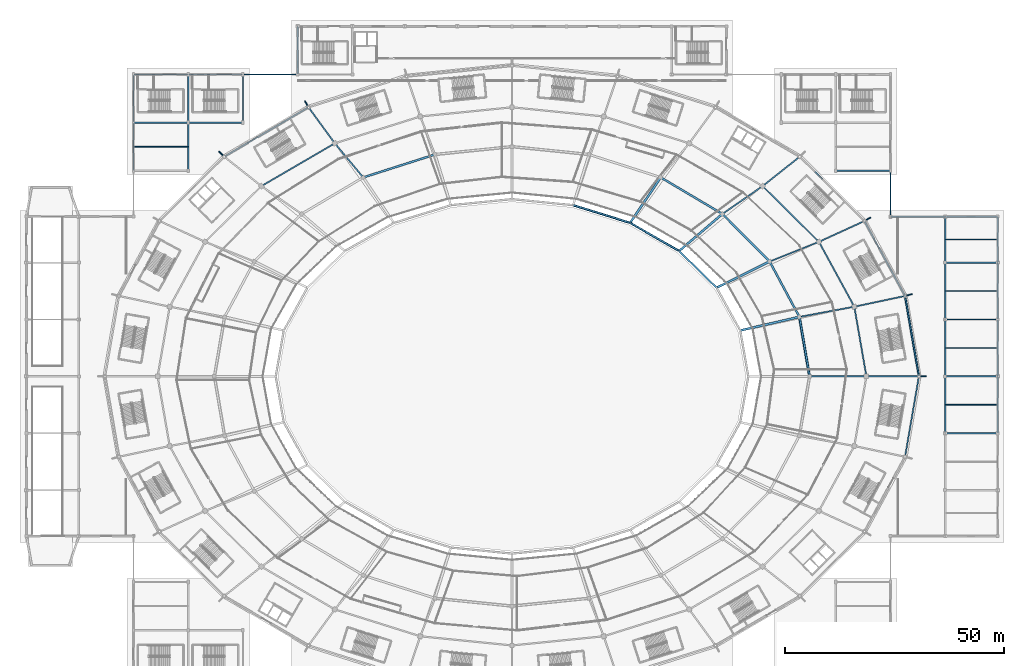
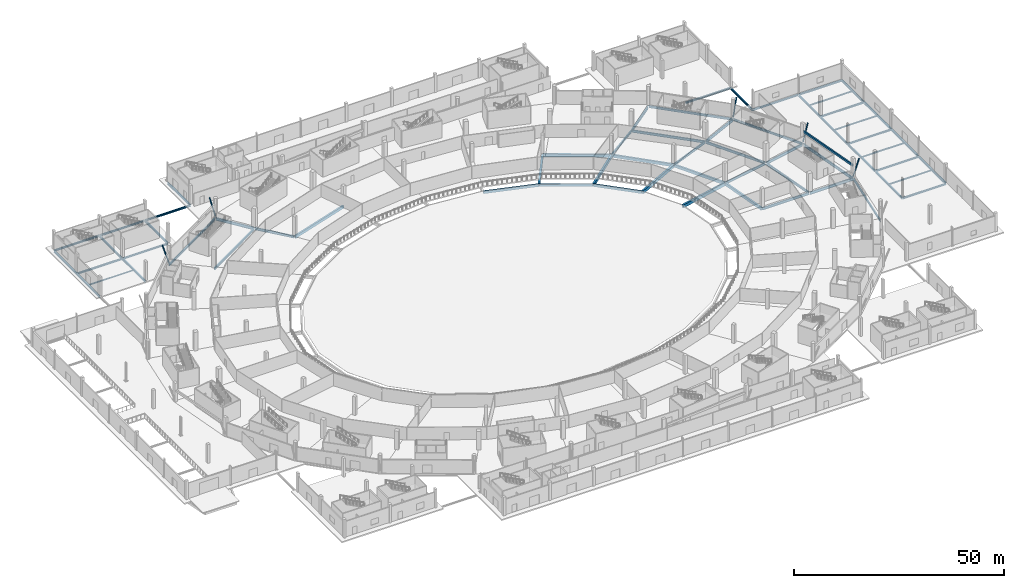
# One storey, part 26 of 82: 64 beams, 5 members.
"""IFC4 building model written with IfcOpenShell, lengths in metres."""

from ifc_helpers import new_model, si_unit, direction, frame, origin, origin_2d, place, context, subcontext, project, spatial, rectangle, hollow_circle, i_section, extrude, material, material_profile, profile_set, type_object, element, save


model = new_model("IFC4")

# Units and contexts
model_context = context("Model", 3, precision=1e-05, world=origin(), true_north=direction((0.0, 1.0)))
body_context = subcontext(model_context, "Body", "Model", "MODEL_VIEW")
ifc_project = project(units=[si_unit("LENGTHUNIT", "METRE"), si_unit("AREAUNIT", "SQUARE_METRE"), si_unit("VOLUMEUNIT", "CUBIC_METRE"), si_unit("PLANEANGLEUNIT", "RADIAN"), si_unit("MASSUNIT", "GRAM", prefix="KILO")], contexts=[model_context])

# Site, building, storey
site_placement = place(None, origin())
site = spatial("IfcSite", under=ifc_project, at=site_placement, CompositionType="ELEMENT")
building_placement = place(site_placement, origin())
building = spatial("IfcBuilding", under=site, at=building_placement, Name="Zlatoyarsky Gate Stadium", CompositionType="ELEMENT")
storey_placement = place(building_placement, origin())
storey = spatial("IfcBuildingStorey", under=building, at=storey_placement, Name="L00", CompositionType="ELEMENT", Elevation=0.0)

# Beams
ifc_material_1 = material(Name="Concrete C40/50", Category="concrete")
ifc_material_profile_1 = material_profile(ifc_material_1, rectangle(XDim=0.39990234375, YDim=0.699951171875, at=origin_2d()), Name="RC BEAM 400X700")
ifc_profile_set_1 = profile_set([ifc_material_profile_1], Name="Concrete C40/50")
beam_type_1 = type_object("IfcBeamType", Name="CONCRETE FLOOR BEAM 400X700", PredefinedType="BEAM", material=ifc_profile_set_1)
beam_1_placement = place(storey_placement, frame((157.6796875, 100.333984375, -0.699951171875), z_axis=(-0.715146635204, 0.698974456011, 0.0), x_axis=(-0.698974456011, -0.715146635204, 0.0)))
element("IfcBeam", 1, at=beam_1_placement, inside=storey, type_object=beam_type_1, Name="Beam B-RC70 BM-L00-CR0-02", PredefinedType="BEAM", context=body_context, shape_type="SweptSolid", body=[
    extrude(rectangle(XDim=0.39990234375, YDim=0.699951171875, at=origin_2d()), origin(), (0.0, 0.0, 1.0), 11.760009765625),
])
beam_2_placement = place(storey_placement, frame((149.079833984375, 108.69775390625, -0.699951171875), z_axis=(-0.866725255288, 0.498785857704, 0.0), x_axis=(-0.498785857704, -0.866725255288, 0.0)))
element("IfcBeam", 2, at=beam_2_placement, inside=storey, type_object=beam_type_1, Name="Beam B-RC70 BM-L00-CR0-03", PredefinedType="BEAM", context=body_context, shape_type="SweptSolid", body=[
    extrude(rectangle(XDim=0.39990234375, YDim=0.699951171875, at=origin_2d()), origin(), (0.0, 0.0, 1.0), 12.66357421875),
])
beam_3_placement = place(storey_placement, frame((137.885498046875, 115.109619140625, -0.699951171875), z_axis=(-0.954977648824, 0.29667775489, 0.0), x_axis=(-0.29667775489, -0.954977648824, 0.0)))
element("IfcBeam", 3, at=beam_3_placement, inside=storey, type_object=beam_type_1, Name="Beam B-RC70 BM-L00-CR0-04", PredefinedType="BEAM", context=body_context, shape_type="SweptSolid", body=[
    extrude(rectangle(XDim=0.39990234375, YDim=0.699951171875, at=origin_2d()), origin(), (0.0, 0.0, 1.0), 13.39794921875),
])
ifc_material_profile_2 = material_profile(ifc_material_1, rectangle(XDim=0.449951171875, YDim=0.800048828125, at=origin_2d()), Name="RC BEAM 450X800")
ifc_profile_set_2 = profile_set([ifc_material_profile_2], Name="Concrete C40/50")
beam_type_2 = type_object("IfcBeamType", Name="CONCRETE FLOOR BEAM 450X800", PredefinedType="BEAM", material=ifc_profile_set_2)
beam_4_placement = place(storey_placement, frame((178.979736328125, 80.118408203125, -0.75), z_axis=(-0.168089694981, 0.985771705032, 0.0), x_axis=(-0.985771705032, -0.168089694981, 0.0)))
element("IfcBeam", 4, at=beam_4_placement, inside=storey, type_object=beam_type_2, Name="Beam B-RC80 BM-L00-CRA-00", PredefinedType="BEAM", context=body_context, shape_type="SweptSolid", body=[
    extrude(rectangle(XDim=0.449951171875, YDim=0.800048828125, at=origin_2d()), origin(), (0.0, 0.0, 1.0), 13.5439453125),
])
beam_5_placement = place(storey_placement, frame((176.626220703125, 93.693603515625, -0.75), z_axis=(-0.472766984781, 0.881187481812, 0.0), x_axis=(-0.881187481812, -0.472766984781, 0.0)))
element("IfcBeam", 5, at=beam_5_placement, inside=storey, type_object=beam_type_2, Name="Beam B-RC80 BM-L00-CRA-01", PredefinedType="BEAM", context=body_context, shape_type="SweptSolid", body=[
    extrude(rectangle(XDim=0.449951171875, YDim=0.800048828125, at=origin_2d()), origin(), (0.0, 0.0, 1.0), 14.12939453125),
])
beam_6_placement = place(storey_placement, frame((169.80517578125, 106.335205078125, -0.75), z_axis=(-0.704927331607, 0.709279533861, 0.0), x_axis=(-0.709279533861, -0.704927331607, 0.0)))
element("IfcBeam", 6, at=beam_6_placement, inside=storey, type_object=beam_type_2, Name="Beam B-RC80 BM-L00-CRA-02", PredefinedType="BEAM", context=body_context, shape_type="SweptSolid", body=[
    extrude(rectangle(XDim=0.449951171875, YDim=0.800048828125, at=origin_2d()), origin(), (0.0, 0.0, 1.0), 15.08984375),
])
beam_7_placement = place(storey_placement, frame((158.97998046875, 117.184326171875, -0.75), z_axis=(-0.860360371321, 0.50968620882, 0.0), x_axis=(-0.50968620882, -0.860360371321, 0.0)))
element("IfcBeam", 7, at=beam_7_placement, inside=storey, type_object=beam_type_2, Name="Beam B-RC80 BM-L00-CRA-03", PredefinedType="BEAM", context=body_context, shape_type="SweptSolid", body=[
    extrude(rectangle(XDim=0.449951171875, YDim=0.800048828125, at=origin_2d()), origin(), (0.0, 0.0, 1.0), 16.12890625),
])
beam_8_placement = place(storey_placement, frame((93.285888671875, 130.674560546875, -0.75), z_axis=(-0.952480396568, -0.304599891914, 0.0), x_axis=(0.304599891914, -0.952480396568, 0.0)))
element("IfcBeam", 8, at=beam_8_placement, inside=storey, type_object=beam_type_2, Name="Beam B-RC80 BM-L00-CRA-07", PredefinedType="BEAM", context=body_context, shape_type="SweptSolid", body=[
    extrude(rectangle(XDim=0.449951171875, YDim=0.800048828125, at=origin_2d()), origin(), (0.0, 0.0, 1.0), 16.978515625),
])
ifc_material_profile_3 = material_profile(ifc_material_1, rectangle(XDim=0.35009765625, YDim=0.550048828125, at=origin_2d()), Name="RC LINTEL 350X550")
ifc_profile_set_3 = profile_set([ifc_material_profile_3], Name="Concrete C40/50")
beam_type_3 = type_object("IfcBeamType", Name="CONCRETE OPENING LINTEL 350X550", PredefinedType="LINTEL", material=ifc_profile_set_3)
beam_9_placement = place(storey_placement, frame((203.9794921875, 80.118408203125, 3.125), z_axis=(-0.169930456666, 0.985456056807, 0.0), x_axis=(-0.985456056807, -0.169930456666, 0.0)))
element("IfcBeam", 9, at=beam_9_placement, inside=storey, type_object=beam_type_3, Name="Beam LN-RC55 BM-L00-LNT-00", PredefinedType="LINTEL", context=body_context, shape_type="SweptSolid", body=[
    extrude(rectangle(XDim=0.35009765625, YDim=0.550048828125, at=origin_2d()), origin(), (0.0, 0.0, 1.0), 18.4072265625),
])
ifc_material_profile_4 = material_profile(ifc_material_1, rectangle(XDim=0.5, YDim=0.89990234375, at=origin_2d()), Name="RC GIRDER 500X900")
ifc_profile_set_4 = profile_set([ifc_material_profile_4], Name="Concrete C40/50")
beam_type_4 = type_object("IfcBeamType", Name="CONCRETE PRIMARY GIRDER 500X900", PredefinedType="T_BEAM", material=ifc_profile_set_4)
beam_10_placement = place(storey_placement, frame((163.277099609375, 90.509033203125, -0.800048828125), z_axis=(0.974626051555, 0.223839361219, 0.0), x_axis=(-0.223839361219, 0.974626051555, 0.0)))
element("IfcBeam", 10, at=beam_10_placement, inside=storey, type_object=beam_type_4, Name="Beam G-RC90 BM-L00-R0A-01", PredefinedType="T_BEAM", context=body_context, shape_type="SweptSolid", body=[
    extrude(rectangle(XDim=0.5, YDim=0.89990234375, at=origin_2d()), origin(), (0.0, 0.0, 1.0), 13.634765625),
])
beam_11_placement = place(storey_placement, frame((157.873046875, 100.30322265625, -0.800048828125), z_axis=(0.896253372987, 0.443542434734, 0.0), x_axis=(-0.443542434734, 0.896253372987, 0.0)))
element("IfcBeam", 11, at=beam_11_placement, inside=storey, type_object=beam_type_4, Name="Beam G-RC90 BM-L00-R0A-02", PredefinedType="T_BEAM", context=body_context, shape_type="SweptSolid", body=[
    extrude(rectangle(XDim=0.5, YDim=0.89990234375, at=origin_2d()), origin(), (0.0, 0.0, 1.0), 13.287353515625),
])
beam_12_placement = place(storey_placement, frame((149.27490234375, 108.7158203125, -0.800048828125), z_axis=(0.759256602365, 0.650791373456, 0.0), x_axis=(-0.650791373456, 0.759256602365, 0.0)))
element("IfcBeam", 12, at=beam_12_placement, inside=storey, type_object=beam_type_4, Name="Beam G-RC90 BM-L00-R0A-03", PredefinedType="T_BEAM", context=body_context, shape_type="SweptSolid", body=[
    extrude(rectangle(XDim=0.5, YDim=0.89990234375, at=origin_2d()), origin(), (0.0, 0.0, 1.0), 12.79833984375),
])
beam_13_placement = place(storey_placement, frame((138.06689453125, 115.173583984375, -0.800048828125), z_axis=(0.558682096313, 0.829381887468, 0.0), x_axis=(-0.829381887468, 0.558682096313, 0.0)))
element("IfcBeam", 13, at=beam_13_placement, inside=storey, type_object=beam_type_4, Name="Beam G-RC90 BM-L00-R0A-04", PredefinedType="T_BEAM", context=body_context, shape_type="SweptSolid", body=[
    extrude(rectangle(XDim=0.5, YDim=0.89990234375, at=origin_2d()), origin(), (0.0, 0.0, 1.0), 12.2900390625),
])

# Members
ifc_material_2 = material(Name="Steel S355", Category="steel")
ifc_material_profile_5 = material_profile(ifc_material_2, hollow_circle(Radius=0.177734375, WallThickness=0.02001953125, at=origin_2d()), Name="CHS 355.6X20")
ifc_profile_set_5 = profile_set([ifc_material_profile_5], Name="Steel S355")
member_type = type_object("IfcMemberType", Name="STEEL LEANING RIB RING STRUT CHS 355.6X20", PredefinedType="STRUT", material=ifc_profile_set_5)
member_1_placement = place(storey_placement, frame((204.0, 80.0, 0.0), z_axis=(0.327525462718, 0.0, 0.944842352603), x_axis=(0.0, 1.0, 0.0)))
element("IfcMember", 14, at=member_1_placement, inside=storey, type_object=member_type, Name="Leaning ring strut 00 L00 to L01", PredefinedType="STRUT", context=body_context, shape_type="SweptSolid", body=[
    extrude(hollow_circle(Radius=0.177734375, WallThickness=0.02001953125, at=origin_2d()), origin(), (0.0, 0.0, 1.0), 4.91064453125),
])
member_2_placement = place(storey_placement, frame((200.8310546875, 98.376220703125, 0.0), z_axis=(0.31638694049, 0.084764257312, 0.944835607167), x_axis=(-0.258786663494, 0.965934502333, 0.0)))
element("IfcMember", 15, at=member_2_placement, inside=storey, type_object=member_type, Name="Leaning ring strut 01 L00 to L01", PredefinedType="STRUT", context=body_context, shape_type="SweptSolid", body=[
    extrude(hollow_circle(Radius=0.177734375, WallThickness=0.02001953125, at=origin_2d()), origin(), (0.0, 0.0, 1.0), 4.910888671875),
])
for number, where, z_axis, x_axis, name in (
    (16, (191.540283203125, 115.5, 0.0), (0.275179339945, 0.158857473848, 0.948177532886), (-0.499958946799, 0.866049104564, 0.0), "Leaning ring strut 02 L00 to L01"),
    (17, (64.5, 141.48779296875, 0.0), (-0.158857473848, 0.275179339945, 0.948177532886), (-0.866049104564, -0.499958946799, 0.0), "Leaning ring strut 08 L00 to L01"),
):
    element("IfcMember", number, at=place(storey_placement, frame(where, z_axis=z_axis, x_axis=x_axis)), inside=storey, type_object=member_type, Name=name, PredefinedType="STRUT", context=body_context, shape_type="SweptSolid", body=[
        extrude(hollow_circle(Radius=0.177734375, WallThickness=0.02001953125, at=origin_2d()), origin(), (0.0, 0.0, 1.0), 5.0625),
    ])
member_3_placement = place(storey_placement, frame((45.239013671875, 130.20458984375, 0.0), z_axis=(-0.224639634245, 0.224687860873, 0.948183737417), x_axis=(-0.707182671369, -0.707030882858, 0.0)))
element("IfcMember", 18, at=member_3_placement, inside=storey, type_object=member_type, Name="Leaning ring strut 09 L00 to L01", PredefinedType="STRUT", context=body_context, shape_type="SweptSolid", body=[
    extrude(hollow_circle(Radius=0.177734375, WallThickness=0.02001953125, at=origin_2d()), origin(), (0.0, 0.0, 1.0), 5.062255859375),
])

# Beams
ifc_material_profile_6 = material_profile(ifc_material_2, i_section(OverallWidth=0.300048828125, OverallDepth=0.5, WebThickness=0.014404296875, FlangeThickness=0.028076171875, FilletRadius=0.027099609375, at=origin_2d()), Name="HEB 500")
ifc_profile_set_6 = profile_set([ifc_material_profile_6], Name="Steel S355")
beam_type_5 = type_object("IfcBeamType", Name="STEEL PRIMARY GIRDER HEB 500", PredefinedType="BEAM", material=ifc_profile_set_6)
for number, where, z_axis, x_axis, name in (
    (19, (185.080078125, 127.0, -0.60009765625), (1.0, 0.0, 0.0), (0.0, 1.0, 0.0), "Beam G-HEB500 BM-L00-WGX-16-M"),
    (20, (197.580078125, 116.5, -0.60009765625), (1.0, 0.0, 0.0), (0.0, 1.0, 0.0), "Beam G-HEB500 BM-L00-WGX-17-L"),
):
    element("IfcBeam", number, at=place(storey_placement, frame(where, z_axis=z_axis, x_axis=x_axis)), inside=storey, type_object=beam_type_5, Name=name, PredefinedType="BEAM", context=body_context, shape_type="SweptSolid", body=[
        extrude(i_section(OverallWidth=0.300048828125, OverallDepth=0.5, WebThickness=0.014404296875, FlangeThickness=0.028076171875, FilletRadius=0.027099609375, at=origin_2d()), origin(), (0.0, 0.0, 1.0), 12.33984375),
    ])
for number, where, z_axis, x_axis, name in (
    (21, (210.080078125, 67.0, -0.60009765625), (1.0, 0.0, 0.0), (0.0, 1.0, 0.0), "Beam G-HEB500 BM-L00-WGX-18-G"),
    (22, (210.080078125, 80.0, -0.60009765625), (1.0, 0.0, 0.0), (0.0, 1.0, 0.0), "Beam G-HEB500 BM-L00-WGX-18-H"),
    (23, (210.080078125, 93.0, -0.60009765625), (1.0, 0.0, 0.0), (0.0, 1.0, 0.0), "Beam G-HEB500 BM-L00-WGX-18-J"),
    (24, (210.080078125, 106.0, -0.60009765625), (1.0, 0.0, 0.0), (0.0, 1.0, 0.0), "Beam G-HEB500 BM-L00-WGX-18-K"),
    (25, (210.080078125, 116.5, -0.60009765625), (1.0, 0.0, 0.0), (0.0, 1.0, 0.0), "Beam G-HEB500 BM-L00-WGX-18-L"),
):
    element("IfcBeam", number, at=place(storey_placement, frame(where, z_axis=z_axis, x_axis=x_axis)), inside=storey, type_object=beam_type_5, Name=name, PredefinedType="BEAM", context=body_context, shape_type="SweptSolid", body=[
        extrude(i_section(OverallWidth=0.300048828125, OverallDepth=0.5, WebThickness=0.014404296875, FlangeThickness=0.028076171875, FilletRadius=0.027099609375, at=origin_2d()), origin(), (0.0, 0.0, 1.0), 11.83984375),
    ])
for number, where, z_axis, x_axis, name in (
    (26, (24.580078125, 138.0, -0.60009765625), (1.0, 0.0, 0.0), (0.0, 1.0, 0.0), "Beam G-HEB500 BM-L00-WGX-3-N"),
    (27, (24.580078125, 149.0, -0.60009765625), (1.0, 0.0, 0.0), (0.0, 1.0, 0.0), "Beam G-HEB500 BM-L00-WGX-3-P"),
    (28, (37.080078125, 138.0, -0.60009765625), (1.0, 0.0, 0.0), (0.0, 1.0, 0.0), "Beam G-HEB500 BM-L00-WGX-4-N"),
    (29, (37.080078125, 149.0, -0.60009765625), (1.0, 0.0, 0.0), (0.0, 1.0, 0.0), "Beam G-HEB500 BM-L00-WGX-4-P"),
    (30, (49.580078125, 149.0, -0.60009765625), (1.0, 0.0, 0.0), (0.0, 1.0, 0.0), "Beam G-HEB500 BM-L00-WGX-5-P"),
):
    element("IfcBeam", number, at=place(storey_placement, frame(where, z_axis=z_axis, x_axis=x_axis)), inside=storey, type_object=beam_type_5, Name=name, PredefinedType="BEAM", context=body_context, shape_type="SweptSolid", body=[
        extrude(i_section(OverallWidth=0.300048828125, OverallDepth=0.5, WebThickness=0.014404296875, FlangeThickness=0.028076171875, FilletRadius=0.027099609375, at=origin_2d()), origin(), (0.0, 0.0, 1.0), 12.33984375),
    ])
ifc_material_profile_7 = material_profile(ifc_material_2, i_section(OverallWidth=0.300048828125, OverallDepth=0.60009765625, WebThickness=0.015380859375, FlangeThickness=0.030029296875, FilletRadius=0.027099609375, at=origin_2d()), Name="HEB 600")
ifc_profile_set_7 = profile_set([ifc_material_profile_7], Name="Steel S355")
beam_type_6 = type_object("IfcBeamType", Name="STEEL PRIMARY GIRDER HEB 600", PredefinedType="BEAM", material=ifc_profile_set_7)
beam_14_placement = place(storey_placement, frame((200.77392578125, 98.481689453125, -0.64990234375), z_axis=(-0.476891650323, 0.878962088973, 0.0), x_axis=(-0.878962088973, -0.476891650323, 0.0)))
element("IfcBeam", 31, at=beam_14_placement, inside=storey, type_object=beam_type_6, Name="Beam G-HEB600 BM-L00-CRC-01", PredefinedType="BEAM", context=body_context, shape_type="SweptSolid", body=[
    extrude(i_section(OverallWidth=0.300048828125, OverallDepth=0.60009765625, WebThickness=0.015380859375, FlangeThickness=0.030029296875, FilletRadius=0.027099609375, at=origin_2d()), origin(), (0.0, 0.0, 1.0), 19.241943359375),
])
beam_15_placement = place(storey_placement, frame((191.455322265625, 115.584716796875, -0.64990234375), z_axis=(-0.708899260134, 0.705309746835, 0.0), x_axis=(-0.705309746835, -0.708899260134, 0.0)))
element("IfcBeam", 32, at=beam_15_placement, inside=storey, type_object=beam_type_6, Name="Beam G-HEB600 BM-L00-CRC-02", PredefinedType="BEAM", context=body_context, shape_type="SweptSolid", body=[
    extrude(i_section(OverallWidth=0.300048828125, OverallDepth=0.60009765625, WebThickness=0.015380859375, FlangeThickness=0.030029296875, FilletRadius=0.027099609375, at=origin_2d()), origin(), (0.0, 0.0, 1.0), 20.608642578125),
])
beam_16_placement = place(storey_placement, frame((64.396484375, 141.427001953125, -0.64990234375), z_axis=(-0.862854775092, -0.505451913738, 0.0), x_axis=(0.505451913738, -0.862854775092, 0.0)))
element("IfcBeam", 33, at=beam_16_placement, inside=storey, type_object=beam_type_6, Name="Beam G-HEB600 BM-L00-CRC-08", PredefinedType="BEAM", context=body_context, shape_type="SweptSolid", body=[
    extrude(i_section(OverallWidth=0.300048828125, OverallDepth=0.60009765625, WebThickness=0.015380859375, FlangeThickness=0.030029296875, FilletRadius=0.027099609375, at=origin_2d()), origin(), (0.0, 0.0, 1.0), 22.08251953125),
])
beam_17_placement = place(storey_placement, frame((200.8515625, 61.7421875, -0.64990234375), z_axis=(0.169930456666, 0.985456056807, 0.0), x_axis=(-0.985456056807, 0.169930456666, 0.0)))
element("IfcBeam", 34, at=beam_17_placement, inside=storey, type_object=beam_type_6, Name="Beam G-HEB600 BM-L00-CRC-23", PredefinedType="BEAM", context=body_context, shape_type="SweptSolid", body=[
    extrude(i_section(OverallWidth=0.300048828125, OverallDepth=0.60009765625, WebThickness=0.015380859375, FlangeThickness=0.030029296875, FilletRadius=0.027099609375, at=origin_2d()), origin(), (0.0, 0.0, 1.0), 18.4072265625),
])
beam_18_placement = place(storey_placement, frame((197.5, 116.580078125, -0.64990234375), z_axis=(0.0, 1.0, 0.0), x_axis=(-1.0, 0.0, 0.0)))
element("IfcBeam", 35, at=beam_18_placement, inside=storey, type_object=beam_type_6, Name="Beam G-HEB600 BM-L00-WGY-17-L", PredefinedType="BEAM", context=body_context, shape_type="SweptSolid", body=[
    extrude(i_section(OverallWidth=0.300048828125, OverallDepth=0.60009765625, WebThickness=0.015380859375, FlangeThickness=0.030029296875, FilletRadius=0.027099609375, at=origin_2d()), origin(), (0.0, 0.0, 1.0), 10.33984375),
])
for number, where, z_axis, x_axis, name in (
    (36, (210.0, 67.080078125, -0.64990234375), (0.0, 1.0, 0.0), (-1.0, 0.0, 0.0), "Beam G-HEB600 BM-L00-WGY-18-G"),
    (37, (210.0, 80.080078125, -0.64990234375), (0.0, 1.0, 0.0), (-1.0, 0.0, 0.0), "Beam G-HEB600 BM-L00-WGY-18-H"),
    (38, (210.0, 93.080078125, -0.64990234375), (0.0, 1.0, 0.0), (-1.0, 0.0, 0.0), "Beam G-HEB600 BM-L00-WGY-18-J"),
):
    element("IfcBeam", number, at=place(storey_placement, frame(where, z_axis=z_axis, x_axis=x_axis)), inside=storey, type_object=beam_type_6, Name=name, PredefinedType="BEAM", context=body_context, shape_type="SweptSolid", body=[
        extrude(i_section(OverallWidth=0.300048828125, OverallDepth=0.60009765625, WebThickness=0.015380859375, FlangeThickness=0.030029296875, FilletRadius=0.027099609375, at=origin_2d()), origin(), (0.0, 0.0, 1.0), 12.83984375),
    ])
beam_19_placement = place(storey_placement, frame((210.0, 106.080078125, -0.64990234375), z_axis=(0.0, 1.0, 0.0), x_axis=(-1.0, 0.0, 0.0)))
element("IfcBeam", 39, at=beam_19_placement, inside=storey, type_object=beam_type_6, Name="Beam G-HEB600 BM-L00-WGY-18-K", PredefinedType="BEAM", context=body_context, shape_type="SweptSolid", body=[
    extrude(i_section(OverallWidth=0.300048828125, OverallDepth=0.60009765625, WebThickness=0.015380859375, FlangeThickness=0.030029296875, FilletRadius=0.027099609375, at=origin_2d()), origin(), (0.0, 0.0, 1.0), 10.33984375),
])
for number, where, z_axis, x_axis, name in (
    (40, (222.0, 67.080078125, -0.64990234375), (0.0, 1.0, 0.0), (-1.0, 0.0, 0.0), "Beam G-HEB600 BM-L00-WGY-19-G"),
    (41, (222.0, 80.080078125, -0.64990234375), (0.0, 1.0, 0.0), (-1.0, 0.0, 0.0), "Beam G-HEB600 BM-L00-WGY-19-H"),
    (42, (222.0, 93.080078125, -0.64990234375), (0.0, 1.0, 0.0), (-1.0, 0.0, 0.0), "Beam G-HEB600 BM-L00-WGY-19-J"),
):
    element("IfcBeam", number, at=place(storey_placement, frame(where, z_axis=z_axis, x_axis=x_axis)), inside=storey, type_object=beam_type_6, Name=name, PredefinedType="BEAM", context=body_context, shape_type="SweptSolid", body=[
        extrude(i_section(OverallWidth=0.300048828125, OverallDepth=0.60009765625, WebThickness=0.015380859375, FlangeThickness=0.030029296875, FilletRadius=0.027099609375, at=origin_2d()), origin(), (0.0, 0.0, 1.0), 12.83984375),
    ])
beam_20_placement = place(storey_placement, frame((222.0, 106.080078125, -0.64990234375), z_axis=(0.0, 1.0, 0.0), x_axis=(-1.0, 0.0, 0.0)))
element("IfcBeam", 43, at=beam_20_placement, inside=storey, type_object=beam_type_6, Name="Beam G-HEB600 BM-L00-WGY-19-K", PredefinedType="BEAM", context=body_context, shape_type="SweptSolid", body=[
    extrude(i_section(OverallWidth=0.300048828125, OverallDepth=0.60009765625, WebThickness=0.015380859375, FlangeThickness=0.030029296875, FilletRadius=0.027099609375, at=origin_2d()), origin(), (0.0, 0.0, 1.0), 10.33984375),
])
for number, where, z_axis, x_axis, name in (
    (44, (24.5, 127.080078125, -0.64990234375), (0.0, 1.0, 0.0), (-1.0, 0.0, 0.0), "Beam G-HEB600 BM-L00-WGY-3-M"),
    (45, (24.5, 138.080078125, -0.64990234375), (0.0, 1.0, 0.0), (-1.0, 0.0, 0.0), "Beam G-HEB600 BM-L00-WGY-3-N"),
    (46, (37.0, 127.080078125, -0.64990234375), (0.0, 1.0, 0.0), (-1.0, 0.0, 0.0), "Beam G-HEB600 BM-L00-WGY-4-M"),
    (47, (37.0, 138.080078125, -0.64990234375), (0.0, 1.0, 0.0), (-1.0, 0.0, 0.0), "Beam G-HEB600 BM-L00-WGY-4-N"),
    (48, (49.5, 138.080078125, -0.64990234375), (0.0, 1.0, 0.0), (-1.0, 0.0, 0.0), "Beam G-HEB600 BM-L00-WGY-5-N"),
    (49, (62.0, 149.080078125, -0.64990234375), (0.0, 1.0, 0.0), (-1.0, 0.0, 0.0), "Beam G-HEB600 BM-L00-WGY-6-P"),
):
    element("IfcBeam", number, at=place(storey_placement, frame(where, z_axis=z_axis, x_axis=x_axis)), inside=storey, type_object=beam_type_6, Name=name, PredefinedType="BEAM", context=body_context, shape_type="SweptSolid", body=[
        extrude(i_section(OverallWidth=0.300048828125, OverallDepth=0.60009765625, WebThickness=0.015380859375, FlangeThickness=0.030029296875, FilletRadius=0.027099609375, at=origin_2d()), origin(), (0.0, 0.0, 1.0), 10.83984375),
    ])
ifc_material_profile_8 = material_profile(ifc_material_2, i_section(OverallWidth=0.300048828125, OverallDepth=0.699951171875, WebThickness=0.01708984375, FlangeThickness=0.031982421875, FilletRadius=0.027099609375, at=origin_2d()), Name="HEB 700")
ifc_profile_set_8 = profile_set([ifc_material_profile_8], Name="Steel S355")
beam_type_7 = type_object("IfcBeamType", Name="STEEL PRIMARY GIRDER HEB 700", PredefinedType="BEAM", material=ifc_profile_set_8)
beam_21_placement = place(storey_placement, frame((179.1201171875, 80.0, -0.699951171875), z_axis=(1.0, 0.0, 0.0), x_axis=(0.0, 1.0, 0.0)))
element("IfcBeam", 50, at=beam_21_placement, inside=storey, type_object=beam_type_7, Name="Beam G-HEB700 BM-L00-RAB-00", PredefinedType="BEAM", context=body_context, shape_type="SweptSolid", body=[
    extrude(i_section(OverallWidth=0.300048828125, OverallDepth=0.699951171875, WebThickness=0.01708984375, FlangeThickness=0.031982421875, FilletRadius=0.027099609375, at=origin_2d()), origin(), (0.0, 0.0, 1.0), 12.759765625),
])
beam_22_placement = place(storey_placement, frame((191.9794921875, 80.1181640625, -0.699951171875), z_axis=(-0.170843315562, 0.985298209441, 0.0), x_axis=(-0.985298209441, -0.170843315562, 0.0)))
element("IfcBeam", 51, at=beam_22_placement, inside=storey, type_object=beam_type_7, Name="Beam G-HEB700 BM-L00-CRB-00", PredefinedType="BEAM", context=body_context, shape_type="SweptSolid", body=[
    extrude(i_section(OverallWidth=0.300048828125, OverallDepth=0.699951171875, WebThickness=0.01708984375, FlangeThickness=0.031982421875, FilletRadius=0.027099609375, at=origin_2d()), origin(), (0.0, 0.0, 1.0), 15.9150390625),
])
beam_23_placement = place(storey_placement, frame((176.801025390625, 93.60986328125, -0.699951171875), z_axis=(0.98322524088, 0.182395519946, 0.0), x_axis=(-0.182395519946, 0.98322524088, 0.0)))
element("IfcBeam", 52, at=beam_23_placement, inside=storey, type_object=beam_type_7, Name="Beam G-HEB700 BM-L00-RAB-01", PredefinedType="BEAM", context=body_context, shape_type="SweptSolid", body=[
    extrude(i_section(OverallWidth=0.300048828125, OverallDepth=0.699951171875, WebThickness=0.01708984375, FlangeThickness=0.031982421875, FilletRadius=0.027099609375, at=origin_2d()), origin(), (0.0, 0.0, 1.0), 12.53125),
])
beam_24_placement = place(storey_placement, frame((189.1826171875, 96.022705078125, -0.699951171875), z_axis=(-0.478915800408, 0.877860840976, 0.0), x_axis=(-0.877860840976, -0.478915800408, 0.0)))
element("IfcBeam", 53, at=beam_24_placement, inside=storey, type_object=beam_type_7, Name="Beam G-HEB700 BM-L00-CRB-01", PredefinedType="BEAM", context=body_context, shape_type="SweptSolid", body=[
    extrude(i_section(OverallWidth=0.300048828125, OverallDepth=0.699951171875, WebThickness=0.01708984375, FlangeThickness=0.031982421875, FilletRadius=0.027099609375, at=origin_2d()), origin(), (0.0, 0.0, 1.0), 16.656494140625),
])
beam_25_placement = place(storey_placement, frame((170.001220703125, 106.29443359375, -0.699951171875), z_axis=(0.928564503985, 0.371171068295, 0.0), x_axis=(-0.371171068295, 0.928564503985, 0.0)))
element("IfcBeam", 54, at=beam_25_placement, inside=storey, type_object=beam_type_7, Name="Beam G-HEB700 BM-L00-RAB-02", PredefinedType="BEAM", context=body_context, shape_type="SweptSolid", body=[
    extrude(i_section(OverallWidth=0.300048828125, OverallDepth=0.699951171875, WebThickness=0.01708984375, FlangeThickness=0.031982421875, FilletRadius=0.027099609375, at=origin_2d()), origin(), (0.0, 0.0, 1.0), 11.88427734375),
])
beam_26_placement = place(storey_placement, frame((181.062744140625, 110.83447265625, -0.699951171875), z_axis=(-0.710840510009, 0.703353232259, 0.0), x_axis=(-0.703353232259, -0.710840510009, 0.0)))
element("IfcBeam", 55, at=beam_26_placement, inside=storey, type_object=beam_type_7, Name="Beam G-HEB700 BM-L00-CRB-02", PredefinedType="BEAM", context=body_context, shape_type="SweptSolid", body=[
    extrude(i_section(OverallWidth=0.300048828125, OverallDepth=0.699951171875, WebThickness=0.01708984375, FlangeThickness=0.031982421875, FilletRadius=0.027099609375, at=origin_2d()), origin(), (0.0, 0.0, 1.0), 17.868896484375),
])
beam_27_placement = place(storey_placement, frame((159.181884765625, 117.19140625, -0.699951171875), z_axis=(0.822196208432, 0.569204176758, 0.0), x_axis=(-0.569204176758, 0.822196208432, 0.0)))
element("IfcBeam", 56, at=beam_27_placement, inside=storey, type_object=beam_type_7, Name="Beam G-HEB700 BM-L00-RAB-03", PredefinedType="BEAM", context=body_context, shape_type="SweptSolid", body=[
    extrude(i_section(OverallWidth=0.300048828125, OverallDepth=0.699951171875, WebThickness=0.01708984375, FlangeThickness=0.031982421875, FilletRadius=0.027099609375, at=origin_2d()), origin(), (0.0, 0.0, 1.0), 10.9404296875),
])
beam_28_placement = place(storey_placement, frame((76.923095703125, 125.55859375, -0.699951171875), z_axis=(-0.640460635814, 0.767990998627, 0.0), x_axis=(-0.767990998627, -0.640460635814, 0.0)))
element("IfcBeam", 57, at=beam_28_placement, inside=storey, type_object=beam_type_7, Name="Beam G-HEB700 BM-L00-RAB-08", PredefinedType="BEAM", context=body_context, shape_type="SweptSolid", body=[
    extrude(i_section(OverallWidth=0.300048828125, OverallDepth=0.699951171875, WebThickness=0.01708984375, FlangeThickness=0.031982421875, FilletRadius=0.027099609375, at=origin_2d()), origin(), (0.0, 0.0, 1.0), 9.90869140625),
])
beam_29_placement = place(storey_placement, frame((70.396240234375, 133.2001953125, -0.699951171875), z_axis=(-0.864054462945, -0.503398336375, 0.0), x_axis=(0.503398336375, -0.864054462945, 0.0)))
element("IfcBeam", 58, at=beam_29_placement, inside=storey, type_object=beam_type_7, Name="Beam G-HEB700 BM-L00-CRB-08", PredefinedType="BEAM", context=body_context, shape_type="SweptSolid", body=[
    extrude(i_section(OverallWidth=0.300048828125, OverallDepth=0.699951171875, WebThickness=0.01708984375, FlangeThickness=0.031982421875, FilletRadius=0.027099609375, at=origin_2d()), origin(), (0.0, 0.0, 1.0), 19.1748046875),
])
ifc_material_profile_9 = material_profile(ifc_material_2, i_section(OverallWidth=0.300048828125, OverallDepth=0.800048828125, WebThickness=0.017578125, FlangeThickness=0.032958984375, FilletRadius=0.030029296875, at=origin_2d()), Name="HEB 800")
ifc_profile_set_9 = profile_set([ifc_material_profile_9], Name="Steel S355")
beam_type_8 = type_object("IfcBeamType", Name="STEEL PRIMARY GIRDER HEB 800", PredefinedType="BEAM", material=ifc_profile_set_9)
beam_30_placement = place(storey_placement, frame((192.1201171875, 80.0, -0.75), z_axis=(1.0, 0.0, 0.0), x_axis=(0.0, 1.0, 0.0)))
element("IfcBeam", 59, at=beam_30_placement, inside=storey, type_object=beam_type_8, Name="Beam G-HEB800 BM-L00-RBC-00", PredefinedType="BEAM", context=body_context, shape_type="SweptSolid", body=[
    extrude(i_section(OverallWidth=0.300048828125, OverallDepth=0.800048828125, WebThickness=0.017578125, FlangeThickness=0.032958984375, FilletRadius=0.030029296875, at=origin_2d()), origin(), (0.0, 0.0, 1.0), 11.759765625),
])
beam_31_placement = place(storey_placement, frame((203.9794921875, 80.118408203125, -0.75), z_axis=(-0.169930456666, 0.985456056807, 0.0), x_axis=(-0.985456056807, -0.169930456666, 0.0)))
element("IfcBeam", 60, at=beam_31_placement, inside=storey, type_object=beam_type_8, Name="Beam G-HEB800 BM-L00-CRC-00", PredefinedType="BEAM", context=body_context, shape_type="SweptSolid", body=[
    extrude(i_section(OverallWidth=0.300048828125, OverallDepth=0.800048828125, WebThickness=0.017578125, FlangeThickness=0.032958984375, FilletRadius=0.030029296875, at=origin_2d()), origin(), (0.0, 0.0, 1.0), 18.4072265625),
])
beam_32_placement = place(storey_placement, frame((189.357421875, 95.9423828125, -0.75), z_axis=(0.978233348926, 0.207507867438, 0.0), x_axis=(-0.207507867438, 0.978233348926, 0.0)))
element("IfcBeam", 61, at=beam_32_placement, inside=storey, type_object=beam_type_8, Name="Beam G-HEB800 BM-L00-RBC-01", PredefinedType="BEAM", context=body_context, shape_type="SweptSolid", body=[
    extrude(i_section(OverallWidth=0.300048828125, OverallDepth=0.800048828125, WebThickness=0.017578125, FlangeThickness=0.032958984375, FilletRadius=0.030029296875, at=origin_2d()), origin(), (0.0, 0.0, 1.0), 11.60888671875),
])
beam_33_placement = place(storey_placement, frame((181.257080078125, 110.7998046875, -0.75), z_axis=(0.909498994842, 0.415706120213, 0.0), x_axis=(-0.415706120213, 0.909498994842, 0.0)))
element("IfcBeam", 62, at=beam_33_placement, inside=storey, type_object=beam_type_8, Name="Beam G-HEB800 BM-L00-RBC-02", PredefinedType="BEAM", context=body_context, shape_type="SweptSolid", body=[
    extrude(i_section(OverallWidth=0.300048828125, OverallDepth=0.800048828125, WebThickness=0.017578125, FlangeThickness=0.032958984375, FilletRadius=0.030029296875, at=origin_2d()), origin(), (0.0, 0.0, 1.0), 11.186767578125),
])
beam_34_placement = place(storey_placement, frame((168.36962890625, 123.5615234375, -0.75), z_axis=(0.78404348542, 0.620705898933, 0.0), x_axis=(-0.620705898933, 0.78404348542, 0.0)))
element("IfcBeam", 63, at=beam_34_placement, inside=storey, type_object=beam_type_8, Name="Beam G-HEB800 BM-L00-RBC-03", PredefinedType="BEAM", context=body_context, shape_type="SweptSolid", body=[
    extrude(i_section(OverallWidth=0.300048828125, OverallDepth=0.800048828125, WebThickness=0.017578125, FlangeThickness=0.032958984375, FilletRadius=0.030029296875, at=origin_2d()), origin(), (0.0, 0.0, 1.0), 10.58251953125),
])
beam_35_placement = place(storey_placement, frame((70.42919921875, 133.357666015625, -0.75), z_axis=(-0.589228266457, 0.807966614415, 0.0), x_axis=(-0.807966614415, -0.589228266457, 0.0)))
element("IfcBeam", 64, at=beam_35_placement, inside=storey, type_object=beam_type_8, Name="Beam G-HEB800 BM-L00-RBC-08", PredefinedType="BEAM", context=body_context, shape_type="SweptSolid", body=[
    extrude(i_section(OverallWidth=0.300048828125, OverallDepth=0.800048828125, WebThickness=0.017578125, FlangeThickness=0.032958984375, FilletRadius=0.030029296875, at=origin_2d()), origin(), (0.0, 0.0, 1.0), 9.9423828125),
])
ifc_material_profile_10 = material_profile(ifc_material_2, i_section(OverallWidth=0.14990234375, OverallDepth=0.300048828125, WebThickness=0.007080078125, FlangeThickness=0.0107421875, FilletRadius=0.014892578125, at=origin_2d()), Name="IPE 300")
ifc_profile_set_10 = profile_set([ifc_material_profile_10], Name="Steel S355")
beam_type_9 = type_object("IfcBeamType", Name="STEEL SECONDARY JOIST IPE 300", PredefinedType="JOIST", material=ifc_profile_set_10)
for number, where, z_axis, x_axis, name in (
    (65, (210.090087890625, 73.5, -0.5), (1.0, 0.0, 0.0), (0.0, 1.0, 0.0), "Beam J-IPE300 JST-L00-18-G"),
    (66, (210.090087890625, 86.5, -0.5), (1.0, 0.0, 0.0), (0.0, 1.0, 0.0), "Beam J-IPE300 JST-L00-18-H"),
    (67, (210.090087890625, 99.5, -0.5), (1.0, 0.0, 0.0), (0.0, 1.0, 0.0), "Beam J-IPE300 JST-L00-18-J"),
    (68, (210.090087890625, 111.25, -0.5), (1.0, 0.0, 0.0), (0.0, 1.0, 0.0), "Beam J-IPE300 JST-L00-18-K"),
):
    element("IfcBeam", number, at=place(storey_placement, frame(where, z_axis=z_axis, x_axis=x_axis)), inside=storey, type_object=beam_type_9, Name=name, PredefinedType="JOIST", context=body_context, shape_type="SweptSolid", body=[
        extrude(i_section(OverallWidth=0.14990234375, OverallDepth=0.300048828125, WebThickness=0.007080078125, FlangeThickness=0.0107421875, FilletRadius=0.014892578125, at=origin_2d()), origin(), (0.0, 0.0, 1.0), 11.81982421875),
    ])
ifc_material_profile_11 = material_profile(ifc_material_2, i_section(OverallWidth=0.169921875, OverallDepth=0.360107421875, WebThickness=0.008056640625, FlangeThickness=0.0126953125, FilletRadius=0.01806640625, at=origin_2d()), Name="IPE 360")
ifc_profile_set_11 = profile_set([ifc_material_profile_11], Name="Steel S355")
beam_type_10 = type_object("IfcBeamType", Name="STEEL SECONDARY JOIST IPE 360", PredefinedType="JOIST", material=ifc_profile_set_11)
beam_36_placement = place(storey_placement, frame((24.590087890625, 132.5, -0.530029296875), z_axis=(1.0, 0.0, 0.0), x_axis=(0.0, 1.0, 0.0)))
element("IfcBeam", 69, at=beam_36_placement, inside=storey, type_object=beam_type_10, Name="Beam J-IPE360 JST-L00-3-M", PredefinedType="JOIST", context=body_context, shape_type="SweptSolid", body=[
    extrude(i_section(OverallWidth=0.169921875, OverallDepth=0.360107421875, WebThickness=0.008056640625, FlangeThickness=0.0126953125, FilletRadius=0.01806640625, at=origin_2d()), origin(), (0.0, 0.0, 1.0), 12.31982421875),
])

save(model, "model.ifc")
